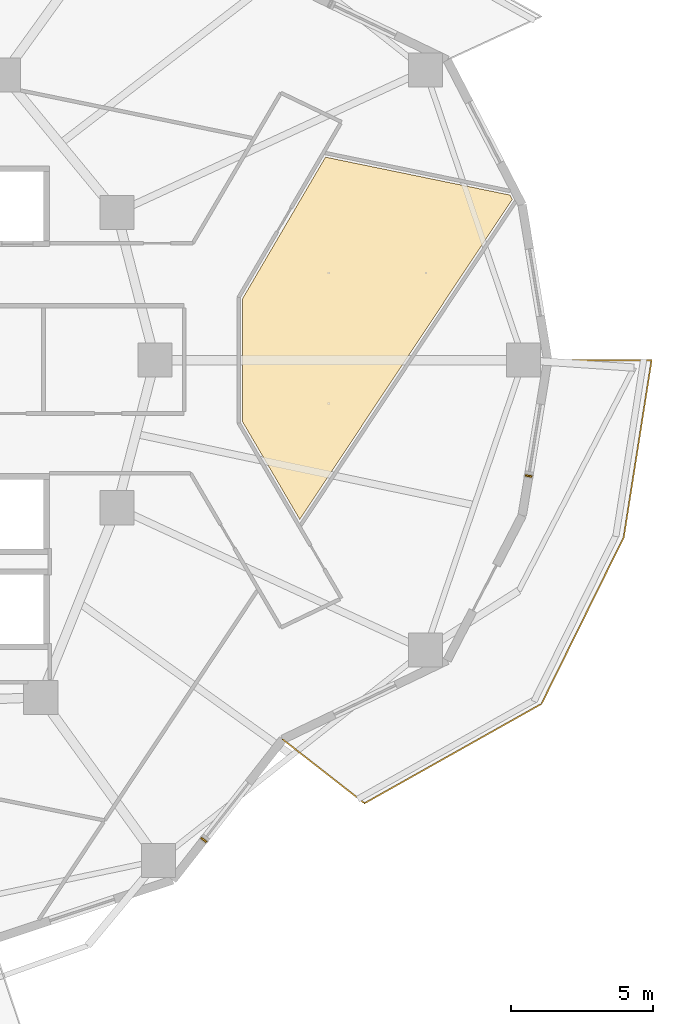
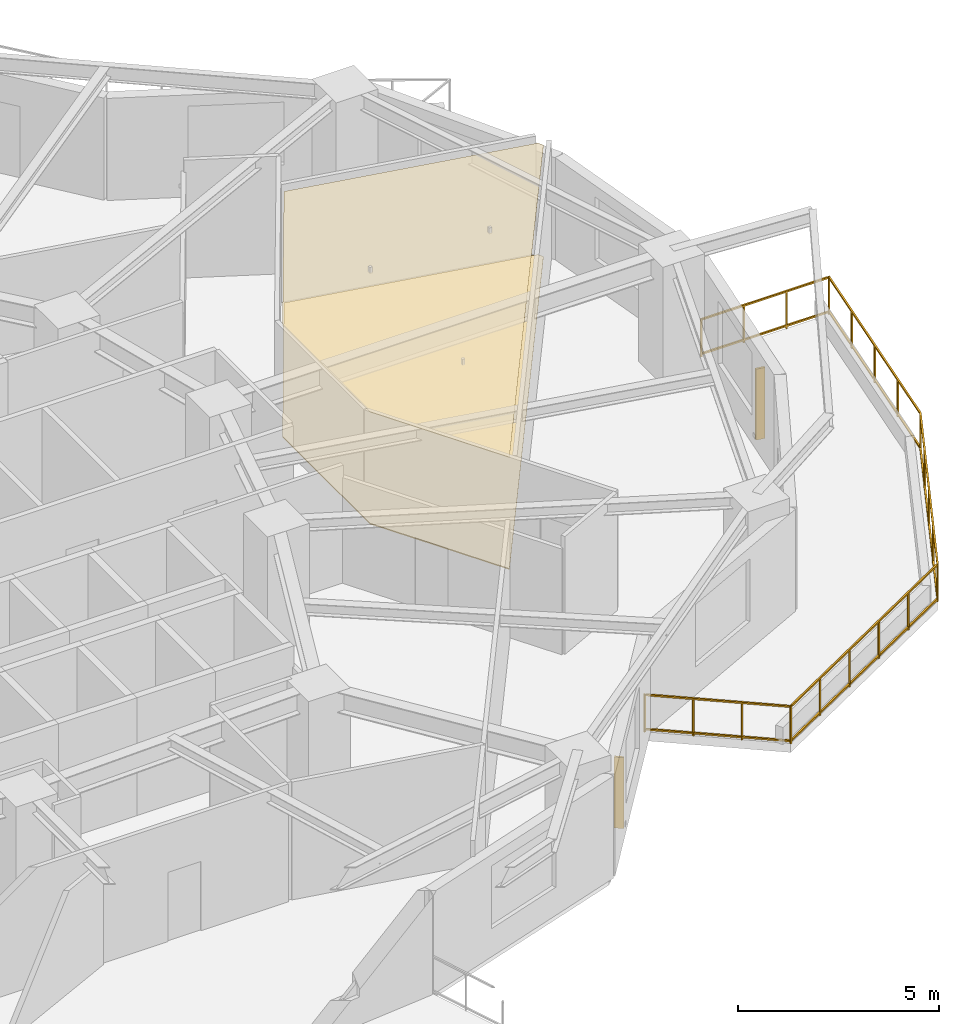
# One storey, part 12 of 14: 2 coverings, 2 shading devices, 1 railing.
"""IFC4 building model written with IfcOpenShell, lengths in metres."""

from ifc_helpers import new_model, si_unit, direction, frame, origin, origin_2d, place, context, subcontext, project, spatial, polyline, rectangle, outline, extrude, material, layer, layer_set, type_object, element, save


model = new_model("IFC4")

# Units and contexts
model_context = context("Model", 3, precision=1e-05, world=origin(), true_north=direction((0.0, 1.0)))
body_context = subcontext(model_context, "Body", "Model", "MODEL_VIEW")
ifc_project = project(units=[si_unit("LENGTHUNIT", "METRE"), si_unit("AREAUNIT", "SQUARE_METRE"), si_unit("VOLUMEUNIT", "CUBIC_METRE"), si_unit("PLANEANGLEUNIT", "RADIAN"), si_unit("MASSUNIT", "GRAM", prefix="KILO")], contexts=[model_context])

# Site, building, storey
site_placement = place(None, origin())
site = spatial("IfcSite", under=ifc_project, at=site_placement, CompositionType="ELEMENT")
building_placement = place(site_placement, origin())
building = spatial("IfcBuilding", under=site, at=building_placement, Name="Kolvaren Gate Tower and Convention Centre", CompositionType="ELEMENT")
storey_placement = place(building_placement, frame((0.0, 0.0, 57.300048828125)))
storey = spatial("IfcBuildingStorey", under=building, at=storey_placement, Name="L13", CompositionType="ELEMENT", Elevation=57.300048828125)

# Coverings
ifc_material_1 = material(Name="Perforated Mineral-Fibre Acoustic Ceiling Tile 18 mm", Category="gypsum")
ifc_layer_1 = layer(ifc_material_1, 0.01806640625)
ifc_layer_set_1 = layer_set([ifc_layer_1], Name="Perforated Mineral-Fibre Acoustic Ceiling Tile 18 mm")
covering_type_1 = type_object("IfcCoveringType", Name="ARCH-COV-CEIL-18", PredefinedType="CEILING", material=ifc_layer_set_1)
covering_1_placement = place(storey_placement, frame((0.0, 0.0, 3.389892578125)))
element("IfcCovering", 1, at=covering_1_placement, inside=storey, type_object=covering_type_1, Name="Materials Exhibition Boutique Acoustic Suspended Ceiling", PredefinedType="CEILING", context=body_context, shape_type="SweptSolid", body=[
    extrude(outline(polyline([(55.236083984375, 32.81689453125), (55.31298828125, 32.6689453125), (47.824951171875, 21.39111328125), (45.81005859375, 24.8310546875), (45.81005859375, 29.1689453125), (48.73095703125, 34.154052734375), (55.236083984375, 32.81689453125)])), origin(), (0.0, 0.0, 1.0), 0.01806640625),
])
ifc_material_2 = material(Name="Honed Sabana Limestone Terrazzo Flooring 30 mm", Category="masonry")
ifc_layer_2 = layer(ifc_material_2, 0.030029296875)
ifc_layer_set_2 = layer_set([ifc_layer_2], Name="Honed Sabana Limestone Terrazzo Flooring 30 mm")
covering_type_2 = type_object("IfcCoveringType", Name="ARCH-COV-FLR-30", PredefinedType="FLOORING", material=ifc_layer_set_2)
covering_2_placement = place(storey_placement, origin())
element("IfcCovering", 2, at=covering_2_placement, inside=storey, type_object=covering_type_2, Name="Materials Exhibition Boutique Interior Finish Flooring", PredefinedType="FLOORING", context=body_context, shape_type="SweptSolid", body=[
    extrude(outline(polyline([(55.236083984375, 32.81689453125), (55.31298828125, 32.6689453125), (47.824951171875, 21.39111328125), (45.81005859375, 24.8310546875), (45.81005859375, 29.1689453125), (48.73095703125, 34.154052734375), (55.236083984375, 32.81689453125)])), origin(), (0.0, 0.0, 1.0), 0.030029296875),
])

# Railing
ifc_material_3 = material(Name="Brushed Stainless Steel Grade 316L", Category="steel")
railing_type = type_object("IfcRailingType", Name="ARCH-RL-GUARD-1150", PredefinedType="GUARDRAIL", material=ifc_material_3)
railing_placement = place(storey_placement, frame((47.223876953125, 13.639892578125, 0.0)))
element("IfcRailing", 3, at=railing_placement, inside=storey, type_object=railing_type, Name="Tower L13 Terrace Perimeter Guardrail GR-4", PredefinedType="GUARDRAIL", context=body_context, shape_type="SweptSolid", body=[
    extrude(rectangle(XDim=0.048095703125, YDim=0.048095703125, at=origin_2d()), frame((0.022216796875, -0.017333984375, 1.1259765625), z_axis=(0.787988976981, -0.61568934712, 0.0), x_axis=(0.61568934712, 0.787988976981, 0.0)), (0.0, 0.0, 1.0), 3.60400390625),
    extrude(rectangle(XDim=0.048095703125, YDim=0.048095703125, at=origin_2d()), frame((0.022216796875, -0.017333984375, 0.083984375), z_axis=(0.787988976981, -0.61568934712, 0.0), x_axis=(0.61568934712, 0.787988976981, 0.0)), (0.0, 0.0, 1.0), 3.60400390625),
    extrude(rectangle(XDim=0.048095703125, YDim=0.048095703125, at=origin_2d()), frame((2.908447265625, -2.23974609375, 1.1259765625), z_axis=(0.871783301661, 0.489891697159, 0.0), x_axis=(-0.489891697159, 0.871783301661, 0.0)), (0.0, 0.0, 1.0), 7.096435546875),
    extrude(rectangle(XDim=0.048095703125, YDim=0.048095703125, at=origin_2d()), frame((2.908447265625, -2.23974609375, 0.083984375), z_axis=(0.871783301661, 0.489891697159, 0.0), x_axis=(-0.489891697159, 0.871783301661, 0.0)), (0.0, 0.0, 1.0), 7.096435546875),
    extrude(rectangle(XDim=0.048095703125, YDim=0.048095703125, at=origin_2d()), frame((9.1318359375, 1.275634765625, 1.1259765625), z_axis=(0.442686636348, 0.89667638644, 0.0), x_axis=(-0.89667638644, 0.442686636348, 0.0)), (0.0, 0.0, 1.0), 6.488525390625),
    extrude(rectangle(XDim=0.048095703125, YDim=0.048095703125, at=origin_2d()), frame((9.1318359375, 1.275634765625, 0.083984375), z_axis=(0.442686636348, 0.89667638644, 0.0), x_axis=(-0.89667638644, 0.442686636348, 0.0)), (0.0, 0.0, 1.0), 6.488525390625),
    extrude(rectangle(XDim=0.048095703125, YDim=0.048095703125, at=origin_2d()), frame((12.02099609375, 7.146484375, 1.1259765625), z_axis=(0.155418843943, 0.98784866399, 0.0), x_axis=(-0.98784866399, 0.155418843943, 0.0)), (0.0, 0.0, 1.0), 6.261962890625),
    extrude(rectangle(XDim=0.048095703125, YDim=0.048095703125, at=origin_2d()), frame((12.02099609375, 7.146484375, 0.083984375), z_axis=(0.155418843943, 0.98784866399, 0.0), x_axis=(-0.98784866399, 0.155418843943, 0.0)), (0.0, 0.0, 1.0), 6.261962890625),
    extrude(rectangle(XDim=0.048095703125, YDim=0.048095703125, at=origin_2d()), frame((12.970458984375, 13.360107421875, 1.1259765625), z_axis=(-1.0, 0.0, 0.0), x_axis=(0.0, -1.0, 0.0)), (0.0, 0.0, 1.0), 3.603759765625),
    extrude(rectangle(XDim=0.048095703125, YDim=0.048095703125, at=origin_2d()), frame((12.970458984375, 13.360107421875, 0.083984375), z_axis=(-1.0, 0.0, 0.0), x_axis=(0.0, -1.0, 0.0)), (0.0, 0.0, 1.0), 3.603759765625),
    extrude(rectangle(XDim=0.0419921875, YDim=0.0419921875, at=origin_2d()), origin(), (0.0, 0.0, 1.0), 1.14990234375),
    extrude(rectangle(XDim=0.0419921875, YDim=0.0419921875, at=origin_2d()), frame((2.884033203125, -2.25341796875, 0.0)), (0.0, 0.0, 1.0), 1.14990234375),
    extrude(rectangle(XDim=0.0419921875, YDim=0.0419921875, at=origin_2d()), frame((0.96142578125, -0.751220703125, 0.0)), (0.0, 0.0, 1.0), 1.099853515625),
    extrude(rectangle(XDim=0.0419921875, YDim=0.0419921875, at=origin_2d()), frame((1.922607421875, -1.502197265625, 0.0)), (0.0, 0.0, 1.0), 1.099853515625),
    extrude(rectangle(XDim=0.0419921875, YDim=0.0419921875, at=origin_2d()), frame((9.119384765625, 1.25048828125, 0.0)), (0.0, 0.0, 1.0), 1.14990234375),
    extrude(rectangle(XDim=0.0419921875, YDim=0.0419921875, at=origin_2d()), frame((4.131103515625, -1.552734375, 0.0)), (0.0, 0.0, 1.0), 1.099853515625),
    extrude(rectangle(XDim=0.0419921875, YDim=0.0419921875, at=origin_2d()), frame((5.378173828125, -0.851806640625, 0.0)), (0.0, 0.0, 1.0), 1.099853515625),
    extrude(rectangle(XDim=0.0419921875, YDim=0.0419921875, at=origin_2d()), frame((6.625244140625, -0.151123046875, 0.0)), (0.0, 0.0, 1.0), 1.099853515625),
    extrude(rectangle(XDim=0.0419921875, YDim=0.0419921875, at=origin_2d()), frame((7.872314453125, 0.5498046875, 0.0)), (0.0, 0.0, 1.0), 1.099853515625),
    extrude(rectangle(XDim=0.0419921875, YDim=0.0419921875, at=origin_2d()), frame((12.0166015625, 7.118896484375, 0.0)), (0.0, 0.0, 1.0), 1.14990234375),
    extrude(rectangle(XDim=0.0419921875, YDim=0.0419921875, at=origin_2d()), frame((9.84375, 2.717529296875, 0.0)), (0.0, 0.0, 1.0), 1.099853515625),
    extrude(rectangle(XDim=0.0419921875, YDim=0.0419921875, at=origin_2d()), frame((10.56787109375, 4.1845703125, 0.0)), (0.0, 0.0, 1.0), 1.099853515625),
    extrude(rectangle(XDim=0.0419921875, YDim=0.0419921875, at=origin_2d()), frame((11.292236328125, 5.65185546875, 0.0)), (0.0, 0.0, 1.0), 1.099853515625),
    extrude(rectangle(XDim=0.0419921875, YDim=0.0419921875, at=origin_2d()), frame((12.99853515625, 13.360107421875, 0.0)), (0.0, 0.0, 1.0), 1.14990234375),
    extrude(rectangle(XDim=0.0419921875, YDim=0.0419921875, at=origin_2d()), frame((12.26220703125, 8.67919921875, 0.0)), (0.0, 0.0, 1.0), 1.099853515625),
    extrude(rectangle(XDim=0.0419921875, YDim=0.0419921875, at=origin_2d()), frame((12.507568359375, 10.239501953125, 0.0)), (0.0, 0.0, 1.0), 1.099853515625),
    extrude(rectangle(XDim=0.0419921875, YDim=0.0419921875, at=origin_2d()), frame((12.7529296875, 11.7998046875, 0.0)), (0.0, 0.0, 1.0), 1.099853515625),
    extrude(rectangle(XDim=0.0419921875, YDim=0.0419921875, at=origin_2d()), frame((9.338623046875, 13.360107421875, 0.0)), (0.0, 0.0, 1.0), 1.14990234375),
    extrude(rectangle(XDim=0.0419921875, YDim=0.0419921875, at=origin_2d()), frame((11.778564453125, 13.360107421875, 0.0)), (0.0, 0.0, 1.0), 1.099853515625),
    extrude(rectangle(XDim=0.0419921875, YDim=0.0419921875, at=origin_2d()), frame((10.55859375, 13.360107421875, 0.0)), (0.0, 0.0, 1.0), 1.099853515625),
])

# Shading devices
ifc_material_4 = material(Name="Kiln-Fired Bogota Terracotta Ceramic Louvre Profile", Category="masonry")
shading_device_type = type_object("IfcShadingDeviceType", Name="ARCH-SHD-FIN-180", PredefinedType="JALOUSIE", material=ifc_material_4)
for number, where, z_axis, x_axis, name in (
    (4, (44.4453125, 10.0908203125, 0.219970703125), (0.0, 0.0, 1.0), (0.616431370541, 0.787408639407, 0.0), "Ceramic Vertical Brise-Soleil Fin FN-L13-20"),
    (5, (55.891357421875, 22.921142578125, 0.219970703125), (0.0, 0.0, 1.0), (0.162375401515, 0.986729055508, 0.0), "Ceramic Vertical Brise-Soleil Fin FN-L13-23"),
):
    element("IfcShadingDevice", number, at=place(storey_placement, frame(where, z_axis=z_axis, x_axis=x_axis)), inside=storey, type_object=shading_device_type, Name=name, PredefinedType="JALOUSIE", context=body_context, shape_type="SweptSolid", body=[
        extrude(rectangle(XDim=0.06005859375, YDim=0.239990234375, at=origin_2d()), origin(), (0.0, 0.0, 1.0), 2.14990234375),
    ])

save(model, "model.ifc")
